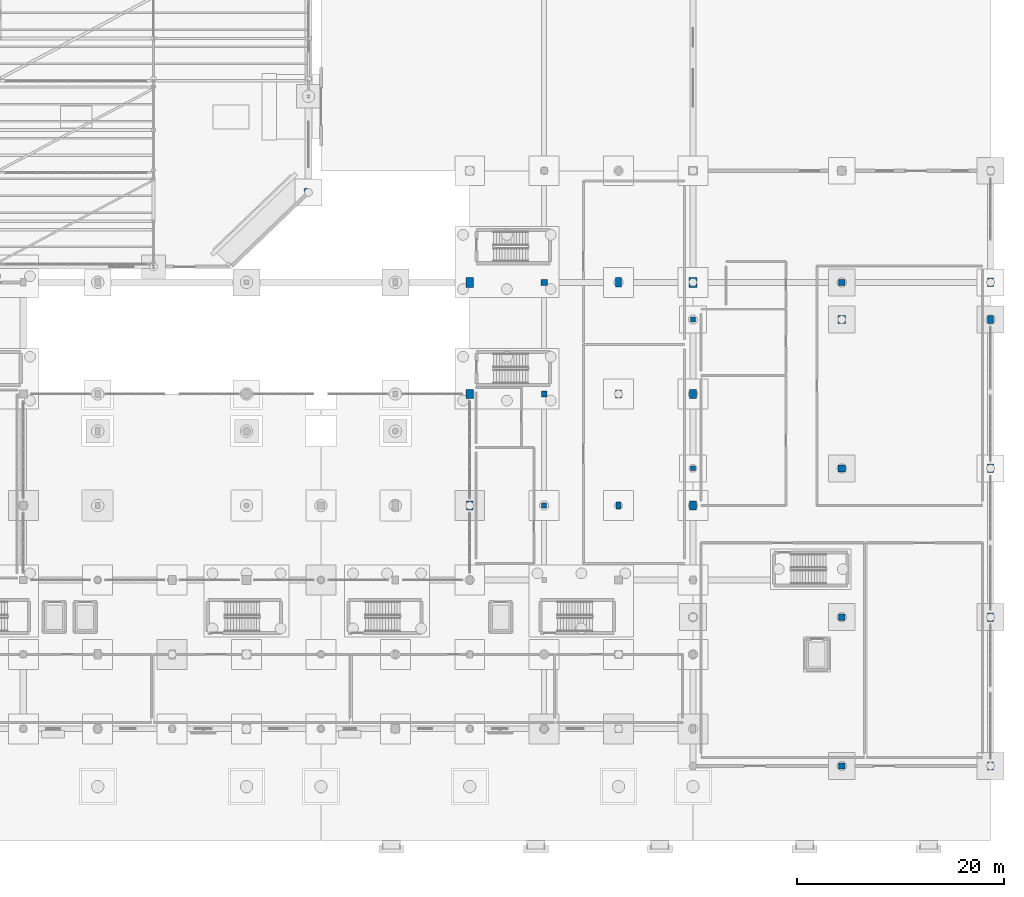
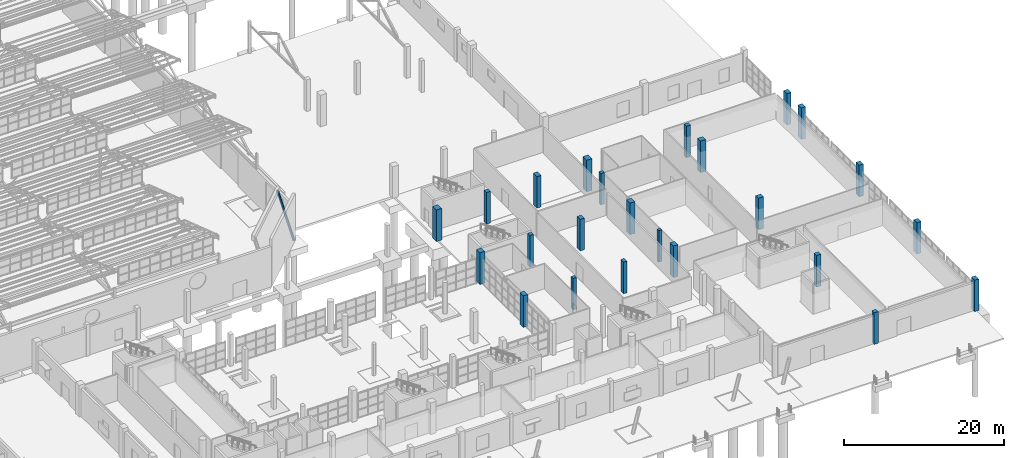
# One storey, part 29 of 285: 25 columns.
"""IFC4 building model written with IfcOpenShell, lengths in metres."""

from ifc_helpers import new_model, si_unit, direction, frame, origin, origin_2d, place, context, subcontext, project, spatial, rectangle, hollow_circle, extrude, material, material_profile, profile_set, type_object, element, save


model = new_model("IFC4")

# Units and contexts
model_context = context("Model", 3, precision=1e-05, world=origin(), true_north=direction((0.0, 1.0)))
body_context = subcontext(model_context, "Body", "Model", "MODEL_VIEW")
ifc_project = project(units=[si_unit("LENGTHUNIT", "METRE"), si_unit("AREAUNIT", "SQUARE_METRE"), si_unit("VOLUMEUNIT", "CUBIC_METRE"), si_unit("PLANEANGLEUNIT", "RADIAN"), si_unit("MASSUNIT", "GRAM", prefix="KILO")], contexts=[model_context])

# Site, building, storey
site_placement = place(None, origin())
site = spatial("IfcSite", under=ifc_project, at=site_placement, CompositionType="ELEMENT")
building_placement = place(site_placement, origin())
building = spatial("IfcBuilding", under=site, at=building_placement, Name="Solanera Park Tramway Depot", CompositionType="ELEMENT")
storey_placement = place(building_placement, origin())
storey = spatial("IfcBuildingStorey", under=building, at=storey_placement, Name="L00", CompositionType="ELEMENT", Elevation=0.0)

# Columns
ifc_material_1 = material(Name="Concrete N40 (C40/50)", Category="concrete")
ifc_material_profile_1 = material_profile(ifc_material_1, rectangle(XDim=0.449951171875, YDim=0.449951171875, at=origin_2d()), Name="RC 450x450")
ifc_profile_set_1 = profile_set([ifc_material_profile_1], Name="Concrete N40 (C40/50)")
column_type_1 = type_object("IfcColumnType", Name="RC Column Ext RC 450x450", PredefinedType="COLUMN", material=ifc_profile_set_1)
column_1_placement = place(storey_placement, frame((187.199951171875, 36.0, 0.0), z_axis=(0.0, 0.0, 1.0), x_axis=(1.0, 0.0, 0.0)))
element("IfcColumn", 1, at=column_1_placement, inside=storey, type_object=column_type_1, Name="L00 Column V5-X1872-Y360", PredefinedType="COLUMN", context=body_context, shape_type="SweptSolid", body=[
    extrude(rectangle(XDim=0.449951171875, YDim=0.449951171875, at=origin_2d()), origin(), (0.0, 0.0, 1.0), 4.800048828125),
])
ifc_material_2 = material(Name="Concrete N40 (C40/50)", Category="concrete")
ifc_material_profile_2 = material_profile(ifc_material_2, rectangle(XDim=0.5, YDim=0.5, at=origin_2d()), Name="RC 500x500")
ifc_profile_set_2 = profile_set([ifc_material_profile_2], Name="Concrete N40 (C40/50)")
column_type_2 = type_object("IfcColumnType", Name="RC Column Ext RC 500x500", PredefinedType="COLUMN", material=ifc_profile_set_2)
column_2_placement = place(storey_placement, frame((187.199951171875, 50.39990234375, 0.0), z_axis=(0.0, 0.0, 1.0), x_axis=(1.0, 0.0, 0.0)))
element("IfcColumn", 2, at=column_2_placement, inside=storey, type_object=column_type_2, Name="L00 Column V5-X1872-Y504", PredefinedType="COLUMN", context=body_context, shape_type="SweptSolid", body=[
    extrude(rectangle(XDim=0.5, YDim=0.5, at=origin_2d()), origin(), (0.0, 0.0, 1.0), 4.800048828125),
])
ifc_material_3 = material(Name="Concrete N40 (C40/50)", Category="concrete")
ifc_material_profile_3 = material_profile(ifc_material_3, rectangle(XDim=0.60009765625, YDim=0.60009765625, at=origin_2d()), Name="RC 600x600")
ifc_profile_set_3 = profile_set([ifc_material_profile_3], Name="Concrete N40 (C40/50)")
column_type_3 = type_object("IfcColumnType", Name="RC Column Ext RC 600x600", PredefinedType="COLUMN", material=ifc_profile_set_3)
for number, where, z_axis, x_axis, name in (
    (3, (172.800048828125, 54.0, 0.0), (0.0, 0.0, 1.0), (1.0, 0.0, 0.0), "L00 Column V4-X1728-Y540"),
    (4, (201.60009765625, 7.199951171875, 0.0), (0.0, 0.0, 1.0), (1.0, 0.0, 0.0), "L00 Column V5-X2016-Y72"),
):
    element("IfcColumn", number, at=place(storey_placement, frame(where, z_axis=z_axis, x_axis=x_axis)), inside=storey, type_object=column_type_3, Name=name, PredefinedType="COLUMN", context=body_context, shape_type="SweptSolid", body=[
        extrude(rectangle(XDim=0.60009765625, YDim=0.60009765625, at=origin_2d()), origin(), (0.0, 0.0, 1.0), 4.800048828125),
    ])
ifc_material_4 = material(Name="Concrete N40 (C40/50)", Category="concrete")
ifc_material_profile_4 = material_profile(ifc_material_4, rectangle(XDim=0.60009765625, YDim=0.800048828125, at=origin_2d()), Name="RC 600x800")
ifc_profile_set_4 = profile_set([ifc_material_profile_4], Name="Concrete N40 (C40/50)")
column_type_4 = type_object("IfcColumnType", Name="RC Column Ext RC 600x800", PredefinedType="COLUMN", material=ifc_profile_set_4)
for number, where, z_axis, x_axis, name in (
    (5, (216.0, 7.199951171875, 0.0), (0.0, 0.0, 1.0), (1.0, 0.0, 0.0), "L00 Column V5-X2160-Y72"),
    (6, (216.0, 21.60009765625, 0.0), (0.0, 0.0, 1.0), (1.0, 0.0, 0.0), "L00 Column V5-X2160-Y216"),
    (7, (216.0, 36.0, 0.0), (0.0, 0.0, 1.0), (1.0, 0.0, 0.0), "L00 Column V5-X2160-Y360"),
    (8, (216.0, 50.39990234375, 0.0), (0.0, 0.0, 1.0), (1.0, 0.0, 0.0), "L00 Column V5-X2160-Y504"),
    (9, (216.0, 54.0, 0.0), (0.0, 0.0, 1.0), (1.0, 0.0, 0.0), "L00 Column V5MJ-X2160-Y540"),
):
    element("IfcColumn", number, at=place(storey_placement, frame(where, z_axis=z_axis, x_axis=x_axis)), inside=storey, type_object=column_type_4, Name=name, PredefinedType="COLUMN", context=body_context, shape_type="SweptSolid", body=[
        extrude(rectangle(XDim=0.60009765625, YDim=0.800048828125, at=origin_2d()), origin(), (0.0, 0.0, 1.0), 4.800048828125),
    ])
ifc_material_5 = material(Name="Concrete N40 (C40/50)", Category="concrete")
ifc_material_profile_5 = material_profile(ifc_material_5, rectangle(XDim=0.60009765625, YDim=0.89990234375, at=origin_2d()), Name="RC 600x900")
ifc_profile_set_5 = profile_set([ifc_material_profile_5], Name="Concrete N40 (C40/50)")
column_type_5 = type_object("IfcColumnType", Name="RC Column Ext RC 600x900", PredefinedType="COLUMN", material=ifc_profile_set_5)
column_3_placement = place(storey_placement, frame((180.0, 54.0, 0.0), z_axis=(0.0, 0.0, 1.0), x_axis=(1.0, 0.0, 0.0)))
element("IfcColumn", 10, at=column_3_placement, inside=storey, type_object=column_type_5, Name="L00 Column V4-X1800-Y540", PredefinedType="COLUMN", context=body_context, shape_type="SweptSolid", body=[
    extrude(rectangle(XDim=0.60009765625, YDim=0.89990234375, at=origin_2d()), origin(), (0.0, 0.0, 1.0), 4.800048828125),
])
ifc_material_6 = material(Name="Concrete N40 (C40/50)", Category="concrete")
ifc_material_profile_6 = material_profile(ifc_material_6, rectangle(XDim=0.64990234375, YDim=0.85009765625, at=origin_2d()), Name="RC 650x850")
ifc_profile_set_6 = profile_set([ifc_material_profile_6], Name="Concrete N40 (C40/50)")
column_type_6 = type_object("IfcColumnType", Name="RC Column Ext RC 650x850", PredefinedType="COLUMN", material=ifc_profile_set_6)
column_4_placement = place(storey_placement, frame((187.199951171875, 32.39990234375, 0.0), z_axis=(0.0, 0.0, 1.0), x_axis=(1.0, 0.0, 0.0)))
element("IfcColumn", 11, at=column_4_placement, inside=storey, type_object=column_type_6, Name="L00 Column V4-X1872-Y324", PredefinedType="COLUMN", context=body_context, shape_type="SweptSolid", body=[
    extrude(rectangle(XDim=0.64990234375, YDim=0.85009765625, at=origin_2d()), origin(), (0.0, 0.0, 1.0), 4.800048828125),
])
ifc_material_7 = material(Name="Concrete N40 (C40/50)", Category="concrete")
ifc_material_profile_7 = material_profile(ifc_material_7, rectangle(XDim=0.699951171875, YDim=0.89990234375, at=origin_2d()), Name="RC 700x900")
ifc_profile_set_7 = profile_set([ifc_material_profile_7], Name="Concrete N40 (C40/50)")
column_type_7 = type_object("IfcColumnType", Name="RC Column Ext RC 700x900", PredefinedType="COLUMN", material=ifc_profile_set_7)
column_5_placement = place(storey_placement, frame((187.199951171875, 43.199951171875, 0.0), z_axis=(0.0, 0.0, 1.0), x_axis=(1.0, 0.0, 0.0)))
element("IfcColumn", 12, at=column_5_placement, inside=storey, type_object=column_type_7, Name="L00 Column V4-X1872-Y432", PredefinedType="COLUMN", context=body_context, shape_type="SweptSolid", body=[
    extrude(rectangle(XDim=0.699951171875, YDim=0.89990234375, at=origin_2d()), origin(), (0.0, 0.0, 1.0), 4.800048828125),
])
ifc_material_8 = material(Name="Concrete N40 (C40/50)", Category="concrete")
ifc_material_profile_8 = material_profile(ifc_material_8, rectangle(XDim=0.75, YDim=0.949951171875, at=origin_2d()), Name="RC 750x950")
ifc_profile_set_8 = profile_set([ifc_material_profile_8], Name="Concrete N40 (C40/50)")
column_type_8 = type_object("IfcColumnType", Name="RC Column Ext RC 750x950", PredefinedType="COLUMN", material=ifc_profile_set_8)
for number, where, z_axis, x_axis, name in (
    (13, (165.60009765625, 54.0, 0.0), (0.0, 0.0, 1.0), (1.0, 0.0, 0.0), "L00 Column V4-X1656-Y540"),
    (14, (187.199951171875, 54.0, 0.0), (0.0, 0.0, 1.0), (1.0, 0.0, 0.0), "L00 Column V4-X1872-Y540"),
):
    element("IfcColumn", number, at=place(storey_placement, frame(where, z_axis=z_axis, x_axis=x_axis)), inside=storey, type_object=column_type_8, Name=name, PredefinedType="COLUMN", context=body_context, shape_type="SweptSolid", body=[
        extrude(rectangle(XDim=0.75, YDim=0.949951171875, at=origin_2d()), origin(), (0.0, 0.0, 1.0), 4.800048828125),
    ])
ifc_material_9 = material(Name="Concrete N40 (C40/50)", Category="concrete")
ifc_material_profile_9 = material_profile(ifc_material_9, rectangle(XDim=0.5, YDim=0.5, at=origin_2d()), Name="RC 500x500")
ifc_profile_set_9 = profile_set([ifc_material_profile_9], Name="Concrete N40 (C40/50)")
column_type_9 = type_object("IfcColumnType", Name="RC Column Int RC 500x500", PredefinedType="COLUMN", material=ifc_profile_set_9)
column_6_placement = place(storey_placement, frame((172.800048828125, 32.39990234375, 0.0), z_axis=(0.0, 0.0, 1.0), x_axis=(1.0, 0.0, 0.0)))
element("IfcColumn", 15, at=column_6_placement, inside=storey, type_object=column_type_9, Name="L00 Column V4-X1728-Y324", PredefinedType="COLUMN", context=body_context, shape_type="SweptSolid", body=[
    extrude(rectangle(XDim=0.5, YDim=0.5, at=origin_2d()), origin(), (0.0, 0.0, 1.0), 4.800048828125),
])
ifc_material_10 = material(Name="Concrete N40 (C40/50)", Category="concrete")
ifc_material_profile_10 = material_profile(ifc_material_10, rectangle(XDim=0.5, YDim=0.699951171875, at=origin_2d()), Name="RC 500x700")
ifc_profile_set_10 = profile_set([ifc_material_profile_10], Name="Concrete N40 (C40/50)")
column_type_10 = type_object("IfcColumnType", Name="RC Column Int RC 500x700", PredefinedType="COLUMN", material=ifc_profile_set_10)
column_7_placement = place(storey_placement, frame((180.0, 32.39990234375, 0.0), z_axis=(0.0, 0.0, 1.0), x_axis=(1.0, 0.0, 0.0)))
element("IfcColumn", 16, at=column_7_placement, inside=storey, type_object=column_type_10, Name="L00 Column V4-X1800-Y324", PredefinedType="COLUMN", context=body_context, shape_type="SweptSolid", body=[
    extrude(rectangle(XDim=0.5, YDim=0.699951171875, at=origin_2d()), origin(), (0.0, 0.0, 1.0), 4.800048828125),
])
ifc_material_11 = material(Name="Concrete N40 (C40/50)", Category="concrete")
ifc_material_profile_11 = material_profile(ifc_material_11, rectangle(XDim=0.550048828125, YDim=0.550048828125, at=origin_2d()), Name="RC 550x550")
ifc_profile_set_11 = profile_set([ifc_material_profile_11], Name="Concrete N40 (C40/50)")
column_type_11 = type_object("IfcColumnType", Name="RC Column Int RC 550x550", PredefinedType="COLUMN", material=ifc_profile_set_11)
column_8_placement = place(storey_placement, frame((172.800048828125, 43.199951171875, 0.0), z_axis=(0.0, 0.0, 1.0), x_axis=(1.0, 0.0, 0.0)))
element("IfcColumn", 17, at=column_8_placement, inside=storey, type_object=column_type_11, Name="L00 Column V4-X1728-Y432", PredefinedType="COLUMN", context=body_context, shape_type="SweptSolid", body=[
    extrude(rectangle(XDim=0.550048828125, YDim=0.550048828125, at=origin_2d()), origin(), (0.0, 0.0, 1.0), 4.800048828125),
])
ifc_material_12 = material(Name="Concrete N40 (C40/50)", Category="concrete")
ifc_material_profile_12 = material_profile(ifc_material_12, rectangle(XDim=0.60009765625, YDim=0.60009765625, at=origin_2d()), Name="RC 600x600")
ifc_profile_set_12 = profile_set([ifc_material_profile_12], Name="Concrete N40 (C40/50)")
column_type_12 = type_object("IfcColumnType", Name="RC Column Int RC 600x600", PredefinedType="COLUMN", material=ifc_profile_set_12)
column_9_placement = place(storey_placement, frame((201.60009765625, 54.0, 0.0), z_axis=(0.0, 0.0, 1.0), x_axis=(1.0, 0.0, 0.0)))
element("IfcColumn", 18, at=column_9_placement, inside=storey, type_object=column_type_12, Name="L00 Column V5MJ-X2016-Y540", PredefinedType="COLUMN", context=body_context, shape_type="SweptSolid", body=[
    extrude(rectangle(XDim=0.60009765625, YDim=0.60009765625, at=origin_2d()), origin(), (0.0, 0.0, 1.0), 4.800048828125),
])
ifc_material_13 = material(Name="Concrete N40 (C40/50)", Category="concrete")
ifc_material_profile_13 = material_profile(ifc_material_13, rectangle(XDim=0.60009765625, YDim=0.800048828125, at=origin_2d()), Name="RC 600x800")
ifc_profile_set_13 = profile_set([ifc_material_profile_13], Name="Concrete N40 (C40/50)")
column_type_13 = type_object("IfcColumnType", Name="RC Column Int RC 600x800", PredefinedType="COLUMN", material=ifc_profile_set_13)
column_10_placement = place(storey_placement, frame((180.0, 43.199951171875, 0.0), z_axis=(0.0, 0.0, 1.0), x_axis=(1.0, 0.0, 0.0)))
element("IfcColumn", 19, at=column_10_placement, inside=storey, type_object=column_type_13, Name="L00 Column V4-X1800-Y432", PredefinedType="COLUMN", context=body_context, shape_type="SweptSolid", body=[
    extrude(rectangle(XDim=0.60009765625, YDim=0.800048828125, at=origin_2d()), origin(), (0.0, 0.0, 1.0), 4.800048828125),
])
ifc_material_14 = material(Name="Concrete N40 (C40/50)", Category="concrete")
ifc_material_profile_14 = material_profile(ifc_material_14, rectangle(XDim=0.64990234375, YDim=0.64990234375, at=origin_2d()), Name="RC 650x650")
ifc_profile_set_14 = profile_set([ifc_material_profile_14], Name="Concrete N40 (C40/50)")
column_type_14 = type_object("IfcColumnType", Name="RC Column Int RC 650x650", PredefinedType="COLUMN", material=ifc_profile_set_14)
column_11_placement = place(storey_placement, frame((201.60009765625, 21.60009765625, 0.0), z_axis=(0.0, 0.0, 1.0), x_axis=(1.0, 0.0, 0.0)))
element("IfcColumn", 20, at=column_11_placement, inside=storey, type_object=column_type_14, Name="L00 Column V5-X2016-Y216", PredefinedType="COLUMN", context=body_context, shape_type="SweptSolid", body=[
    extrude(rectangle(XDim=0.64990234375, YDim=0.64990234375, at=origin_2d()), origin(), (0.0, 0.0, 1.0), 4.800048828125),
])
ifc_material_15 = material(Name="Concrete N40 (C40/50)", Category="concrete")
ifc_material_profile_15 = material_profile(ifc_material_15, rectangle(XDim=0.64990234375, YDim=0.85009765625, at=origin_2d()), Name="RC 650x850")
ifc_profile_set_15 = profile_set([ifc_material_profile_15], Name="Concrete N40 (C40/50)")
column_type_15 = type_object("IfcColumnType", Name="RC Column Int RC 650x850", PredefinedType="COLUMN", material=ifc_profile_set_15)
column_12_placement = place(storey_placement, frame((165.60009765625, 32.39990234375, 0.0), z_axis=(0.0, 0.0, 1.0), x_axis=(1.0, 0.0, 0.0)))
element("IfcColumn", 21, at=column_12_placement, inside=storey, type_object=column_type_15, Name="L00 Column V4-X1656-Y324", PredefinedType="COLUMN", context=body_context, shape_type="SweptSolid", body=[
    extrude(rectangle(XDim=0.64990234375, YDim=0.85009765625, at=origin_2d()), origin(), (0.0, 0.0, 1.0), 4.800048828125),
])
ifc_material_16 = material(Name="Concrete N40 (C40/50)", Category="concrete")
ifc_material_profile_16 = material_profile(ifc_material_16, rectangle(XDim=0.699951171875, YDim=0.699951171875, at=origin_2d()), Name="RC 700x700")
ifc_profile_set_16 = profile_set([ifc_material_profile_16], Name="Concrete N40 (C40/50)")
column_type_16 = type_object("IfcColumnType", Name="RC Column Int RC 700x700", PredefinedType="COLUMN", material=ifc_profile_set_16)
column_13_placement = place(storey_placement, frame((201.60009765625, 36.0, 0.0), z_axis=(0.0, 0.0, 1.0), x_axis=(1.0, 0.0, 0.0)))
element("IfcColumn", 22, at=column_13_placement, inside=storey, type_object=column_type_16, Name="L00 Column V5-X2016-Y360", PredefinedType="COLUMN", context=body_context, shape_type="SweptSolid", body=[
    extrude(rectangle(XDim=0.699951171875, YDim=0.699951171875, at=origin_2d()), origin(), (0.0, 0.0, 1.0), 4.800048828125),
])
ifc_material_17 = material(Name="Concrete N40 (C40/50)", Category="concrete")
ifc_material_profile_17 = material_profile(ifc_material_17, rectangle(XDim=0.699951171875, YDim=0.89990234375, at=origin_2d()), Name="RC 700x900")
ifc_profile_set_17 = profile_set([ifc_material_profile_17], Name="Concrete N40 (C40/50)")
column_type_17 = type_object("IfcColumnType", Name="RC Column Int RC 700x900", PredefinedType="COLUMN", material=ifc_profile_set_17)
column_14_placement = place(storey_placement, frame((165.60009765625, 43.199951171875, 0.0), z_axis=(0.0, 0.0, 1.0), x_axis=(1.0, 0.0, 0.0)))
element("IfcColumn", 23, at=column_14_placement, inside=storey, type_object=column_type_17, Name="L00 Column V4-X1656-Y432", PredefinedType="COLUMN", context=body_context, shape_type="SweptSolid", body=[
    extrude(rectangle(XDim=0.699951171875, YDim=0.89990234375, at=origin_2d()), origin(), (0.0, 0.0, 1.0), 4.800048828125),
])
ifc_material_18 = material(Name="Concrete N40 (C40/50)", Category="concrete")
ifc_material_profile_18 = material_profile(ifc_material_18, rectangle(XDim=0.75, YDim=0.75, at=origin_2d()), Name="RC 750x750")
ifc_profile_set_18 = profile_set([ifc_material_profile_18], Name="Concrete N40 (C40/50)")
column_type_18 = type_object("IfcColumnType", Name="RC Column Int RC 750x750", PredefinedType="COLUMN", material=ifc_profile_set_18)
column_15_placement = place(storey_placement, frame((201.60009765625, 50.39990234375, 0.0), z_axis=(0.0, 0.0, 1.0), x_axis=(1.0, 0.0, 0.0)))
element("IfcColumn", 24, at=column_15_placement, inside=storey, type_object=column_type_18, Name="L00 Column V5-X2016-Y504", PredefinedType="COLUMN", context=body_context, shape_type="SweptSolid", body=[
    extrude(rectangle(XDim=0.75, YDim=0.75, at=origin_2d()), origin(), (0.0, 0.0, 1.0), 4.800048828125),
])
ifc_material_19 = material(Name="Steel AS/NZS 1163 Grade C350L0", Category="steel")
ifc_material_profile_19 = material_profile(ifc_material_19, hollow_circle(Radius=0.177734375, WallThickness=0.0126953125, at=origin_2d()), Name="355.6x12.7 CHS")
ifc_profile_set_19 = profile_set([ifc_material_profile_19], Name="Steel AS/NZS 1163 Grade C350L0")
column_type_19 = type_object("IfcColumnType", Name="Steel Column Ext 355.6x12.7 CHS", PredefinedType="COLUMN", material=ifc_profile_set_19)
column_16_placement = place(storey_placement, frame((150.0, 62.699951171875, 0.0), z_axis=(-0.204776827534, 0.196833457878, 0.958813350327), x_axis=(-0.692985522291, -0.720951500377, 0.0)))
element("IfcColumn", 25, at=column_16_placement, inside=storey, type_object=column_type_19, Name="V1 Carved Corner Raked Column SE-2", PredefinedType="COLUMN", context=body_context, shape_type="SweptSolid", body=[
    extrude(hollow_circle(Radius=0.177734375, WallThickness=0.0126953125, at=origin_2d()), origin(), (0.0, 0.0, 1.0), 7.530029296875),
])

save(model, "model.ifc")
